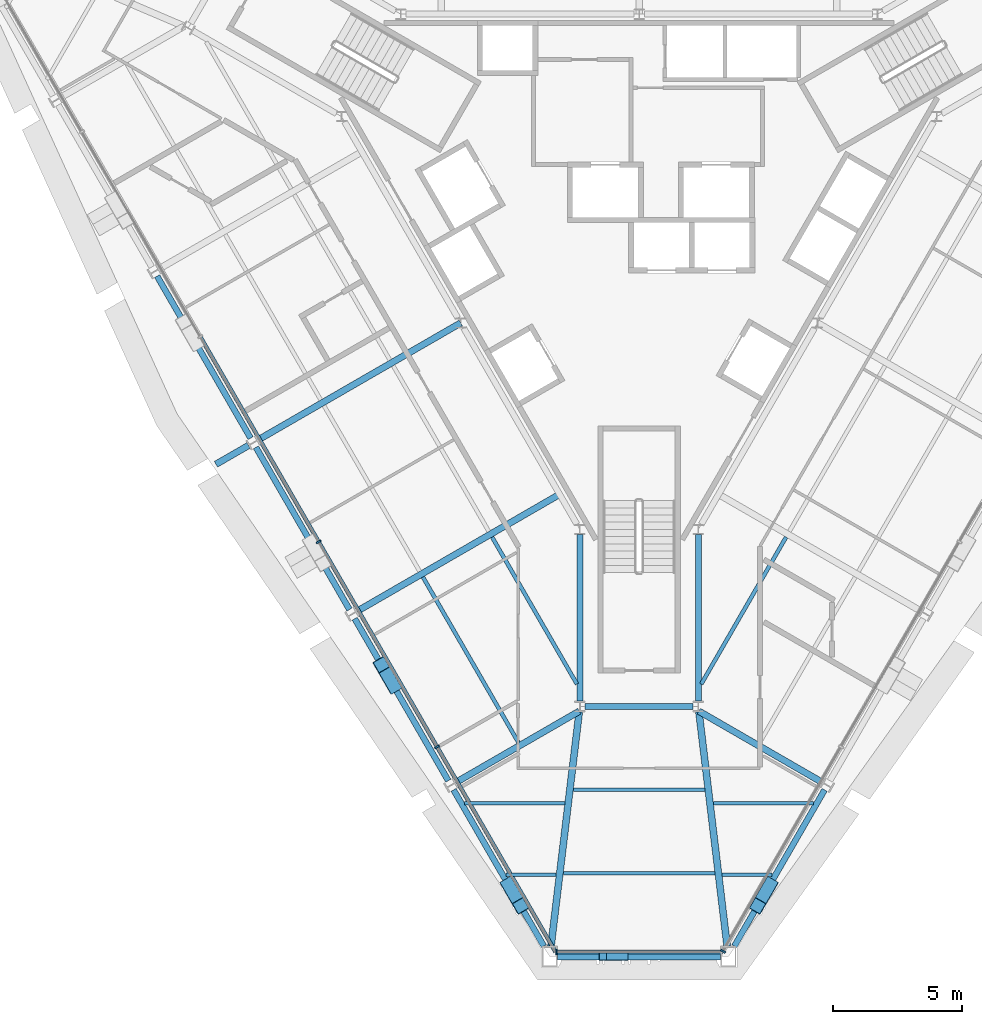
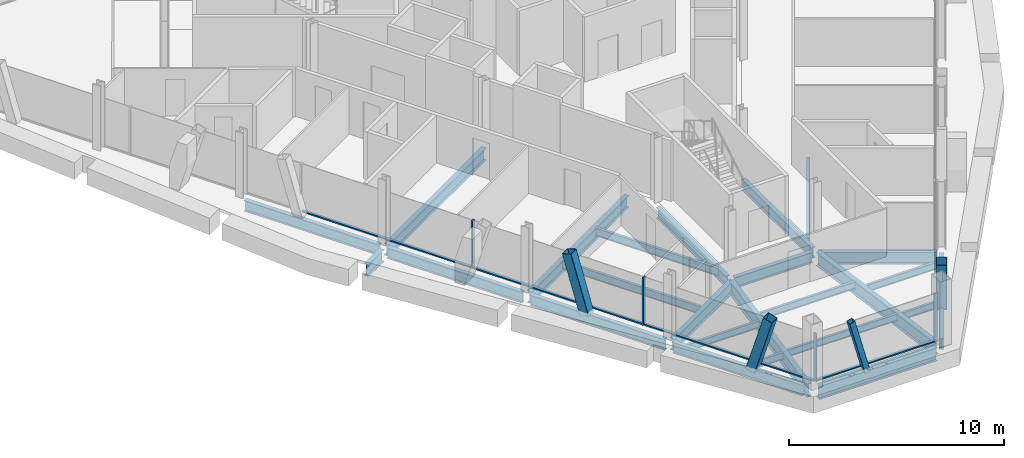
# One storey, part 2 of 13: 25 beams, 12 members, 3 elements without a shape of their own.
"""IFC4 building model written with IfcOpenShell, lengths in metres."""

from ifc_helpers import new_model, si_unit, direction, frame, origin, origin_2d, place, context, subcontext, project, spatial, rectangle, hollow_rectangle, i_section, extrude, material, material_profile, profile_set, type_object, element, aggregate, save


model = new_model("IFC4")

# Units and contexts
model_context = context("Model", 3, precision=1e-05, world=origin(), true_north=direction((0.0, 1.0)))
body_context = subcontext(model_context, "Body", "Model", "MODEL_VIEW")
ifc_project = project(units=[si_unit("LENGTHUNIT", "METRE"), si_unit("AREAUNIT", "SQUARE_METRE"), si_unit("VOLUMEUNIT", "CUBIC_METRE"), si_unit("PLANEANGLEUNIT", "RADIAN"), si_unit("MASSUNIT", "GRAM", prefix="KILO")], contexts=[model_context])

# Site, building, storey
site_placement = place(None, origin())
site = spatial("IfcSite", under=ifc_project, at=site_placement, CompositionType="ELEMENT")
building_placement = place(site_placement, origin())
building = spatial("IfcBuilding", under=site, at=building_placement, Name="Verrane Prism Tower", CompositionType="ELEMENT")
storey_placement = place(building_placement, frame((0.0, 0.0, 163.60009765625)))
storey = spatial("IfcBuildingStorey", under=building, at=storey_placement, Name="L40", CompositionType="ELEMENT", Elevation=163.60009765625)

# Member
ifc_material_1 = material(Name="Steel A500 Grade C", Category="steel")
ifc_material_profile_1 = material_profile(ifc_material_1, hollow_rectangle(XDim=0.3046875, YDim=0.3046875, WallThickness=0.0126953125, InnerFilletRadius=0.00634765625, OuterFilletRadius=0.01904296875, at=origin_2d()), Name="HSS12x12x1/2")
ifc_profile_set_1 = profile_set([ifc_material_profile_1], Name="Steel A500 Grade C")
member_type_1 = type_object("IfcMemberType", Name="Chamfer brace HSS12x12x1/2", PredefinedType="BRACE", material=ifc_profile_set_1)
member_1_placement = place(storey_placement, frame((-0.574951171875, -28.610107421875, -0.24267578125), z_axis=(-0.258871345449, 0.0, 0.965911810936), x_axis=(0.0, -1.0, 0.0)))
element("IfcMember", 1, at=member_1_placement, inside=storey, type_object=member_type_1, Name="Chamfer brace S0 L40", PredefinedType="BRACE", context=body_context, shape_type="SweptSolid", body=[
    extrude(hollow_rectangle(XDim=0.3046875, YDim=0.3046875, WallThickness=0.0126953125, InnerFilletRadius=0.00634765625, OuterFilletRadius=0.01904296875, at=origin_2d()), origin(), (0.0, 0.0, 1.0), 3.2177734375),
])

# Beams
ifc_material_2 = material(Name="Steel A992", Category="steel")
ifc_material_profile_2 = material_profile(ifc_material_2, i_section(OverallWidth=0.2666015625, OverallDepth=0.7568359375, WebThickness=0.013916015625, FlangeThickness=0.019287109375, FilletRadius=0.0166015625, at=origin_2d()), Name="W30x108")
ifc_profile_set_2 = profile_set([ifc_material_profile_2], Name="Steel A992")
beam_type_1 = type_object("IfcBeamType", Name="Chamfer spandrel beam W30x108", PredefinedType="SPANDREL", material=ifc_profile_set_2)
beam_1_placement = place(storey_placement, frame((-3.169921875, -28.610107421875, -0.53857421875), z_axis=(1.0, 0.0, 0.0), x_axis=(0.0, 1.0, 0.0)))
element("IfcBeam", 2, at=beam_1_placement, inside=storey, type_object=beam_type_1, Name="Chamfer spandrel beam L40", PredefinedType="SPANDREL", context=body_context, shape_type="SweptSolid", body=[
    extrude(i_section(OverallWidth=0.2666015625, OverallDepth=0.7568359375, WebThickness=0.013916015625, FlangeThickness=0.019287109375, FilletRadius=0.0166015625, at=origin_2d()), origin(), (0.0, 0.0, 1.0), 6.33984375),
])
ifc_material_3 = material(Name="Steel A992", Category="steel")
ifc_material_profile_3 = material_profile(ifc_material_3, i_section(OverallWidth=0.23046875, OverallDepth=0.6171875, WebThickness=0.01318359375, FlangeThickness=0.022216796875, FilletRadius=0.012939453125, at=origin_2d()), Name="W24x94")
ifc_profile_set_3 = profile_set([ifc_material_profile_3], Name="Steel A992")
beam_type_2 = type_object("IfcBeamType", Name="Core ring girder W24x94", PredefinedType="BEAM", material=ifc_profile_set_3)
beam_2_placement = place(storey_placement, frame((-2.300048828125, -12.219482421875, -0.55859375), z_axis=(0.0, -1.0, 0.0), x_axis=(1.0, 0.0, 0.0)))
element("IfcBeam", 3, at=beam_2_placement, inside=storey, type_object=beam_type_2, Name="Core ring girder L40", PredefinedType="BEAM", context=body_context, shape_type="SweptSolid", body=[
    extrude(i_section(OverallWidth=0.23046875, OverallDepth=0.6171875, WebThickness=0.01318359375, FlangeThickness=0.022216796875, FilletRadius=0.012939453125, at=origin_2d()), origin(), (0.0, 0.0, 1.0), 6.47216796875),
])
beam_3_placement = place(storey_placement, frame((-2.0966796875, -18.89990234375, -0.55859375), z_axis=(1.0, 0.0, 0.0), x_axis=(0.0, 1.0, 0.0)))
element("IfcBeam", 4, at=beam_3_placement, inside=storey, type_object=beam_type_2, Name="Core ring girder L40", PredefinedType="BEAM", context=body_context, shape_type="SweptSolid", body=[
    extrude(i_section(OverallWidth=0.23046875, OverallDepth=0.6171875, WebThickness=0.01318359375, FlangeThickness=0.022216796875, FilletRadius=0.012939453125, at=origin_2d()), origin(), (0.0, 0.0, 1.0), 4.193359375),
])
beam_4_placement = place(storey_placement, frame((2.300048828125, -18.691650390625, -0.55859375), z_axis=(0.0, 1.0, 0.0), x_axis=(-1.0, 0.0, 0.0)))
element("IfcBeam", 5, at=beam_4_placement, inside=storey, type_object=beam_type_2, Name="Core ring girder L40", PredefinedType="BEAM", context=body_context, shape_type="SweptSolid", body=[
    extrude(i_section(OverallWidth=0.23046875, OverallDepth=0.6171875, WebThickness=0.01318359375, FlangeThickness=0.022216796875, FilletRadius=0.012939453125, at=origin_2d()), origin(), (0.0, 0.0, 1.0), 6.47216796875),
])
ifc_material_4 = material(Name="Steel A992", Category="steel")
ifc_material_profile_4 = material_profile(ifc_material_4, i_section(OverallWidth=0.2666015625, OverallDepth=0.76708984375, WebThickness=0.014892578125, FlangeThickness=0.023681640625, FilletRadius=0.0166015625, at=origin_2d()), Name="W30x124")
ifc_profile_set_4 = profile_set([ifc_material_profile_4], Name="Steel A992")
beam_type_3 = type_object("IfcBeamType", Name="Corner girder W30x124", PredefinedType="BEAM", material=ifc_profile_set_4)
for number, where, z_axis, x_axis, name in (
    (6, (-3.421875, -28.2099609375, -0.603515625), (0.119628268268, 0.992818753565, 0.0), (-0.992818753565, 0.119628268268, 0.0), "Corner girder L40"),
    (7, (3.421875, -28.2099609375, -0.603515625), (-0.119628268268, 0.992818753565, 0.0), (-0.992818753565, -0.119628268268, 0.0), "Corner girder L40"),
):
    element("IfcBeam", number, at=place(storey_placement, frame(where, z_axis=z_axis, x_axis=x_axis)), inside=storey, type_object=beam_type_3, Name=name, PredefinedType="BEAM", context=body_context, shape_type="SweptSolid", body=[
        extrude(i_section(OverallWidth=0.2666015625, OverallDepth=0.76708984375, WebThickness=0.014892578125, FlangeThickness=0.023681640625, FilletRadius=0.0166015625, at=origin_2d()), origin(), (0.0, 0.0, 1.0), 9.16748046875),
    ])

# Members
ifc_material_5 = material(Name="Steel A500 Grade C", Category="steel")
ifc_material_profile_5 = material_profile(ifc_material_5, hollow_rectangle(XDim=0.508056640625, YDim=0.508056640625, WallThickness=0.01904296875, InnerFilletRadius=0.009521484375, OuterFilletRadius=0.028564453125, at=origin_2d()), Name="HSS20x20x3/4")
ifc_profile_set_5 = profile_set([ifc_material_profile_5], Name="Steel A500 Grade C")
member_type_2 = type_object("IfcMemberType", Name="Facade brace HSS20x20x3/4", PredefinedType="BRACE", material=ifc_profile_set_5)
for number, where, z_axis, x_axis, name in (
    (8, (-9.54150390625, -18.09521484375, -0.216796875), (-0.142143736486, 0.246133487031, 0.958756207145), (-0.865966742331, -0.500101590855, 0.0), "Facade brace SW4 L40"),
    (9, (-5.078369140625, -25.82470703125, -0.216796875), (0.142143736486, -0.246133487031, 0.958756207145), (0.865966742331, 0.500101590855, 0.0), "Facade brace SW5 L40"),
    (10, (5.078369140625, -25.82470703125, -0.216796875), (-0.142143736486, -0.246133487031, 0.958756207145), (0.865966742331, -0.500101590855, 0.0), "Facade brace SE0 L40"),
):
    element("IfcMember", number, at=place(storey_placement, frame(where, z_axis=z_axis, x_axis=x_axis)), inside=storey, type_object=member_type_2, Name=name, PredefinedType="BRACE", context=body_context, shape_type="SweptSolid", body=[
        extrude(hollow_rectangle(XDim=0.508056640625, YDim=0.508056640625, WallThickness=0.01904296875, InnerFilletRadius=0.009521484375, OuterFilletRadius=0.028564453125, at=origin_2d()), origin(), (0.0, 0.0, 1.0), 3.333740234375),
    ])

# Beams
ifc_material_6 = material(Name="Steel A992", Category="steel")
ifc_material_profile_6 = material_profile(ifc_material_6, i_section(OverallWidth=0.140380859375, OverallDepth=0.40380859375, WebThickness=0.007080078125, FlangeThickness=0.01123046875, FilletRadius=0.01025390625, at=origin_2d()), Name="W16x31")
ifc_profile_set_6 = profile_set([ifc_material_profile_6], Name="Steel A992")
beam_type_4 = type_object("IfcBeamType", Name="Floor beam W16x31", PredefinedType="BEAM", material=ifc_profile_set_6)
beam_5_placement = place(storey_placement, frame((-5.171630859375, -25.433349609375, -0.362060546875), z_axis=(1.0, 0.0, 0.0), x_axis=(0.0, 1.0, 0.0)))
element("IfcBeam", 11, at=beam_5_placement, inside=storey, type_object=beam_type_4, Name="Floor beam L40", PredefinedType="BEAM", context=body_context, shape_type="SweptSolid", body=[
    extrude(i_section(OverallWidth=0.140380859375, OverallDepth=0.40380859375, WebThickness=0.007080078125, FlangeThickness=0.01123046875, FilletRadius=0.01025390625, at=origin_2d()), origin(), (0.0, 0.0, 1.0), 1.950439453125),
])
beam_6_placement = place(storey_placement, frame((-6.77490234375, -22.65673828125, -0.362060546875), z_axis=(1.0, 0.0, 0.0), x_axis=(0.0, 1.0, 0.0)))
element("IfcBeam", 12, at=beam_6_placement, inside=storey, type_object=beam_type_4, Name="Floor beam L40", PredefinedType="BEAM", context=body_context, shape_type="SweptSolid", body=[
    extrude(i_section(OverallWidth=0.140380859375, OverallDepth=0.40380859375, WebThickness=0.007080078125, FlangeThickness=0.01123046875, FilletRadius=0.01025390625, at=origin_2d()), origin(), (0.0, 0.0, 1.0), 3.888916015625),
])
beam_7_placement = place(storey_placement, frame((3.22119140625, -25.433349609375, -0.362060546875), z_axis=(1.0, 0.0, 0.0), x_axis=(0.0, 1.0, 0.0)))
element("IfcBeam", 13, at=beam_7_placement, inside=storey, type_object=beam_type_4, Name="Floor beam L40", PredefinedType="BEAM", context=body_context, shape_type="SweptSolid", body=[
    extrude(i_section(OverallWidth=0.140380859375, OverallDepth=0.40380859375, WebThickness=0.007080078125, FlangeThickness=0.01123046875, FilletRadius=0.01025390625, at=origin_2d()), origin(), (0.0, 0.0, 1.0), 1.950439453125),
])
beam_8_placement = place(storey_placement, frame((2.885986328125, -22.65673828125, -0.362060546875), z_axis=(1.0, 0.0, 0.0), x_axis=(0.0, 1.0, 0.0)))
element("IfcBeam", 14, at=beam_8_placement, inside=storey, type_object=beam_type_4, Name="Floor beam L40", PredefinedType="BEAM", context=body_context, shape_type="SweptSolid", body=[
    extrude(i_section(OverallWidth=0.140380859375, OverallDepth=0.40380859375, WebThickness=0.007080078125, FlangeThickness=0.01123046875, FilletRadius=0.01025390625, at=origin_2d()), origin(), (0.0, 0.0, 1.0), 3.888916015625),
])
beam_9_placement = place(storey_placement, frame((-2.945068359375, -25.373291015625, -0.362060546875), z_axis=(1.0, 0.0, 0.0), x_axis=(0.0, 1.0, 0.0)))
element("IfcBeam", 15, at=beam_9_placement, inside=storey, type_object=beam_type_4, Name="Floor beam L40", PredefinedType="BEAM", context=body_context, shape_type="SweptSolid", body=[
    extrude(i_section(OverallWidth=0.140380859375, OverallDepth=0.40380859375, WebThickness=0.007080078125, FlangeThickness=0.01123046875, FilletRadius=0.01025390625, at=origin_2d()), origin(), (0.0, 0.0, 1.0), 5.89013671875),
])
beam_10_placement = place(storey_placement, frame((-2.554443359375, -22.13671875, -0.362060546875), z_axis=(1.0, 0.0, 0.0), x_axis=(0.0, 1.0, 0.0)))
element("IfcBeam", 16, at=beam_10_placement, inside=storey, type_object=beam_type_4, Name="Floor beam L40", PredefinedType="BEAM", context=body_context, shape_type="SweptSolid", body=[
    extrude(i_section(OverallWidth=0.140380859375, OverallDepth=0.40380859375, WebThickness=0.007080078125, FlangeThickness=0.01123046875, FilletRadius=0.01025390625, at=origin_2d()), origin(), (0.0, 0.0, 1.0), 5.10888671875),
])
ifc_material_7 = material(Name="Steel A992", Category="steel")
ifc_material_profile_7 = material_profile(ifc_material_7, i_section(OverallWidth=0.15234375, OverallDepth=0.449462890625, WebThickness=0.007568359375, FlangeThickness=0.0107421875, FilletRadius=0.01025390625, at=origin_2d()), Name="W18x35")
ifc_profile_set_7 = profile_set([ifc_material_profile_7], Name="Steel A992")
beam_type_5 = type_object("IfcBeamType", Name="Floor beam W18x35", PredefinedType="BEAM", material=ifc_profile_set_7)
beam_11_placement = place(storey_placement, frame((-2.4150390625, -18.027099609375, -0.385009765625), z_axis=(-0.49998322161, 0.866035090576, 0.0), x_axis=(-0.866035090576, -0.49998322161, 0.0)))
element("IfcBeam", 17, at=beam_11_placement, inside=storey, type_object=beam_type_5, Name="Floor beam L40", PredefinedType="BEAM", context=body_context, shape_type="SweptSolid", body=[
    extrude(i_section(OverallWidth=0.15234375, OverallDepth=0.449462890625, WebThickness=0.007568359375, FlangeThickness=0.0107421875, FilletRadius=0.01025390625, at=origin_2d()), origin(), (0.0, 0.0, 1.0), 6.591552734375),
])
beam_12_placement = place(storey_placement, frame((-4.686279296875, -20.299072265625, -0.385009765625), z_axis=(-0.500022277658, 0.866012541391, 0.0), x_axis=(-0.866012541391, -0.500022277658, 0.0)))
element("IfcBeam", 18, at=beam_12_placement, inside=storey, type_object=beam_type_5, Name="Floor beam L40", PredefinedType="BEAM", context=body_context, shape_type="SweptSolid", body=[
    extrude(i_section(OverallWidth=0.15234375, OverallDepth=0.449462890625, WebThickness=0.007568359375, FlangeThickness=0.0107421875, FilletRadius=0.01025390625, at=origin_2d()), origin(), (0.0, 0.0, 1.0), 7.424560546875),
])
beam_13_placement = place(storey_placement, frame((2.4150390625, -18.027099609375, -0.385009765625), z_axis=(0.49998322161, 0.866035090576, 0.0), x_axis=(-0.866035090576, 0.49998322161, 0.0)))
element("IfcBeam", 19, at=beam_13_placement, inside=storey, type_object=beam_type_5, Name="Floor beam L40", PredefinedType="BEAM", context=body_context, shape_type="SweptSolid", body=[
    extrude(i_section(OverallWidth=0.15234375, OverallDepth=0.449462890625, WebThickness=0.007568359375, FlangeThickness=0.0107421875, FilletRadius=0.01025390625, at=origin_2d()), origin(), (0.0, 0.0, 1.0), 6.591552734375),
])

# Curtain wall, members
ifc_material_8 = material(Name="Aluminium framed insulated glazing", Category="aluminium")
curtain_wall_type = type_object("IfcCurtainWallType", Name="Curtain wall CW-A 8400 module", PredefinedType="NOTDEFINED", material=ifc_material_8)
curtain_wall_1_placement = place(storey_placement, origin())
curtain_wall_1 = element("IfcCurtainWall", 20, at=curtain_wall_1_placement, inside=storey, type_object=curtain_wall_type, Name="Glazed curtain wall south-west face L40", PredefinedType="NOTDEFINED")
ifc_material_9 = material(Name="Aluminium alloy 6063-T6", Category="aluminium")
ifc_material_profile_8 = material_profile(ifc_material_9, rectangle(XDim=0.199951171875, YDim=0.070068359375, at=origin_2d()), Name="Mullion 70x200 aluminium")
ifc_profile_set_8 = profile_set([ifc_material_profile_8], Name="Aluminium alloy 6063-T6")
member_type_3 = type_object("IfcMemberType", Name="Mullion 70x200 aluminium", PredefinedType="MULLION", material=ifc_profile_set_8)
member_2_placement = place(storey_placement, frame((-12.448974609375, -12.5, 0.0), z_axis=(0.0, 0.0, 1.0), x_axis=(0.86602596468, 0.499999028499, 0.0)))
member_2 = element("IfcMember", 21, at=member_2_placement, type_object=member_type_3, Name="CW39.4 mullion 4", PredefinedType="MULLION", context=body_context, shape_type="SweptSolid", body=[
    extrude(rectangle(XDim=0.199951171875, YDim=0.070068359375, at=origin_2d()), origin(), (0.0, 0.0, 1.0), 2.712890625),
])
member_3_placement = place(storey_placement, frame((-7.84814453125, -20.46875, 0.0), z_axis=(0.0, 0.0, 1.0), x_axis=(0.86602596468, 0.499999028499, 0.0)))
member_3 = element("IfcMember", 22, at=member_3_placement, type_object=member_type_3, Name="CW39.4 mullion 5", PredefinedType="MULLION", context=body_context, shape_type="SweptSolid", body=[
    extrude(rectangle(XDim=0.199951171875, YDim=0.070068359375, at=origin_2d()), origin(), (0.0, 0.0, 1.0), 2.712890625),
])

# Curtain wall, member
curtain_wall_2_placement = place(storey_placement, origin())
curtain_wall_2 = element("IfcCurtainWall", 23, at=curtain_wall_2_placement, inside=storey, type_object=curtain_wall_type, Name="Glazed curtain wall south corner L40", PredefinedType="NOTDEFINED")
member_4_placement = place(storey_placement, frame((-3.21240234375, -28.4375, 0.0), z_axis=(0.0, 0.0, 1.0), x_axis=(0.0, 1.0, 0.0)))
member_4 = element("IfcMember", 24, at=member_4_placement, type_object=member_type_3, Name="CW39.5 mullion 1", PredefinedType="MULLION", context=body_context, shape_type="SweptSolid", body=[
    extrude(rectangle(XDim=0.199951171875, YDim=0.070068359375, at=origin_2d()), origin(), (0.0, 0.0, 1.0), 2.712890625),
])

curtain_wall_3_placement = place(storey_placement, origin())
curtain_wall_3 = element("IfcCurtainWall", 25, at=curtain_wall_3_placement, inside=storey, type_object=curtain_wall_type, Name="Glazed curtain wall south-east face L40", PredefinedType="NOTDEFINED")
member_5_placement = place(storey_placement, frame((3.264892578125, -28.4072265625, 0.0), z_axis=(0.0, 0.0, 1.0), x_axis=(-0.86602596468, 0.499999028499, 0.0)))
member_5 = element("IfcMember", 26, at=member_5_placement, type_object=member_type_3, Name="CW39.6 mullion 1", PredefinedType="MULLION", context=body_context, shape_type="SweptSolid", body=[
    extrude(rectangle(XDim=0.199951171875, YDim=0.070068359375, at=origin_2d()), origin(), (0.0, 0.0, 1.0), 2.712890625),
])
aggregate(curtain_wall_3, [member_5])

# Beams
ifc_material_10 = material(Name="Steel A992", Category="steel")
ifc_material_profile_9 = material_profile(ifc_material_10, i_section(OverallWidth=0.25390625, OverallDepth=0.683349609375, WebThickness=0.012451171875, FlangeThickness=0.01904296875, FilletRadius=0.01513671875, at=origin_2d()), Name="W27x94")
ifc_profile_set_9 = profile_set([ifc_material_profile_9], Name="Steel A992")
beam_type_6 = type_object("IfcBeamType", Name="Radial girder W27x94", PredefinedType="BEAM", material=ifc_profile_set_9)
beam_14_placement = place(storey_placement, frame((-14.802001953125, -8.54150390625, -0.561767578125), z_axis=(0.866020960005, 0.500007696773, 0.0), x_axis=(-0.500007696773, 0.866020960005, 0.0)))
element("IfcBeam", 27, at=beam_14_placement, inside=storey, type_object=beam_type_6, Name="Radial girder L40", PredefinedType="BEAM", context=body_context, shape_type="SweptSolid", body=[
    extrude(i_section(OverallWidth=0.25390625, OverallDepth=0.683349609375, WebThickness=0.012451171875, FlangeThickness=0.01904296875, FilletRadius=0.01513671875, at=origin_2d()), origin(), (0.0, 0.0, 1.0), 9.088134765625),
])
beam_15_placement = place(storey_placement, frame((-10.9619140625, -15.201416015625, -0.561767578125), z_axis=(0.866021925876, 0.500006023866, 0.0), x_axis=(-0.500006023866, 0.866021925876, 0.0)))
element("IfcBeam", 28, at=beam_15_placement, inside=storey, type_object=beam_type_6, Name="Radial girder L40", PredefinedType="BEAM", context=body_context, shape_type="SweptSolid", body=[
    extrude(i_section(OverallWidth=0.25390625, OverallDepth=0.683349609375, WebThickness=0.012451171875, FlangeThickness=0.01904296875, FilletRadius=0.01513671875, at=origin_2d()), origin(), (0.0, 0.0, 1.0), 9.09228515625),
])
for number, where, z_axis, x_axis, name in (
    (29, (-7.121826171875, -21.851318359375, -0.561767578125), (0.866030813765, 0.499990629522, 0.0), (-0.499990629522, 0.866030813765, 0.0), "Radial girder L40"),
    (30, (7.121826171875, -21.851318359375, -0.561767578125), (-0.866030813765, 0.499990629522, 0.0), (-0.499990629522, -0.866030813765, 0.0), "Radial girder L40"),
):
    element("IfcBeam", number, at=place(storey_placement, frame(where, z_axis=z_axis, x_axis=x_axis)), inside=storey, type_object=beam_type_6, Name=name, PredefinedType="BEAM", context=body_context, shape_type="SweptSolid", body=[
        extrude(i_section(OverallWidth=0.25390625, OverallDepth=0.683349609375, WebThickness=0.012451171875, FlangeThickness=0.01904296875, FilletRadius=0.01513671875, at=origin_2d()), origin(), (0.0, 0.0, 1.0), 5.54248046875),
    ])
beam_16_placement = place(storey_placement, frame((-15.174560546875, -8.756591796875, -0.561767578125), z_axis=(-0.866046596414, -0.499963291492, 0.0), x_axis=(0.499963291492, -0.866046596414, 0.0)))
element("IfcBeam", 31, at=beam_16_placement, inside=storey, type_object=beam_type_6, Name="Cantilever girder L40", PredefinedType="BEAM", context=body_context, shape_type="SweptSolid", body=[
    extrude(i_section(OverallWidth=0.25390625, OverallDepth=0.683349609375, WebThickness=0.012451171875, FlangeThickness=0.01904296875, FilletRadius=0.01513671875, at=origin_2d()), origin(), (0.0, 0.0, 1.0), 1.46240234375),
])
ifc_material_11 = material(Name="Steel A992", Category="steel")
ifc_material_profile_10 = material_profile(ifc_material_11, i_section(OverallWidth=0.23046875, OverallDepth=0.6171875, WebThickness=0.01318359375, FlangeThickness=0.022216796875, FilletRadius=0.012939453125, at=origin_2d()), Name="W24x94")
ifc_profile_set_10 = profile_set([ifc_material_profile_10], Name="Steel A992")
beam_type_7 = type_object("IfcBeamType", Name="Spandrel beam W24x94", PredefinedType="SPANDREL", material=ifc_profile_set_10)
beam_17_placement = place(storey_placement, frame((-18.72705078125, -2.17822265625, -0.46875), z_axis=(0.500052022334, -0.865995366592, 0.0), x_axis=(0.865995366592, 0.500052022334, 0.0)))
element("IfcBeam", 32, at=beam_17_placement, inside=storey, type_object=beam_type_7, Name="Spandrel beam L40", PredefinedType="SPANDREL", context=body_context, shape_type="SweptSolid", body=[
    extrude(i_section(OverallWidth=0.23046875, OverallDepth=0.6171875, WebThickness=0.01318359375, FlangeThickness=0.022216796875, FilletRadius=0.012939453125, at=origin_2d()), origin(), (0.0, 0.0, 1.0), 7.267333984375),
])
beam_18_placement = place(storey_placement, frame((-14.88720703125, -8.828125, -0.46875), z_axis=(0.499492001644, -0.866318498183, 0.0), x_axis=(0.866318498183, 0.499492001644, 0.0)))
element("IfcBeam", 33, at=beam_18_placement, inside=storey, type_object=beam_type_7, Name="Spandrel beam L40", PredefinedType="SPANDREL", context=body_context, shape_type="SweptSolid", body=[
    extrude(i_section(OverallWidth=0.23046875, OverallDepth=0.6171875, WebThickness=0.01318359375, FlangeThickness=0.022216796875, FilletRadius=0.012939453125, at=origin_2d()), origin(), (0.0, 0.0, 1.0), 7.2763671875),
])
beam_19_placement = place(storey_placement, frame((-11.047119140625, -15.48828125, -0.46875), z_axis=(0.50007721572, -0.865980818678, 0.0), x_axis=(0.865980818678, 0.50007721572, 0.0)))
element("IfcBeam", 34, at=beam_19_placement, inside=storey, type_object=beam_type_7, Name="Spandrel beam L40", PredefinedType="SPANDREL", context=body_context, shape_type="SweptSolid", body=[
    extrude(i_section(OverallWidth=0.23046875, OverallDepth=0.6171875, WebThickness=0.01318359375, FlangeThickness=0.022216796875, FilletRadius=0.012939453125, at=origin_2d()), origin(), (0.0, 0.0, 1.0), 7.267333984375),
])
for number, where, z_axis, x_axis, name in (
    (35, (-7.20703125, -22.13818359375, -0.46875), (0.5000600333, -0.865990740768, 0.0), (0.865990740768, 0.5000600333, 0.0), "Spandrel beam L40"),
    (36, (3.700927734375, -28.2099609375, -0.46875), (0.5000600333, 0.865990740768, 0.0), (-0.865990740768, 0.5000600333, 0.0), "Spandrel beam L40"),
):
    element("IfcBeam", number, at=place(storey_placement, frame(where, z_axis=z_axis, x_axis=x_axis)), inside=storey, type_object=beam_type_7, Name=name, PredefinedType="SPANDREL", context=body_context, shape_type="SweptSolid", body=[
        extrude(i_section(OverallWidth=0.23046875, OverallDepth=0.6171875, WebThickness=0.01318359375, FlangeThickness=0.022216796875, FilletRadius=0.012939453125, at=origin_2d()), origin(), (0.0, 0.0, 1.0), 7.011474609375),
    ])

# Member
ifc_material_12 = material(Name="Aluminium alloy 6063-T6", Category="aluminium")
ifc_material_profile_11 = material_profile(ifc_material_12, rectangle(XDim=0.14990234375, YDim=0.070068359375, at=origin_2d()), Name="Transom 70x150 aluminium")
ifc_profile_set_11 = profile_set([ifc_material_profile_11], Name="Aluminium alloy 6063-T6")
member_type_4 = type_object("IfcMemberType", Name="Transom 70x150 aluminium", PredefinedType="USERDEFINED", material=ifc_profile_set_11)
member_6_placement = place(storey_placement, frame((-17.0322265625, -4.561279296875, 0.034912109375), z_axis=(0.499997849104, -0.866026645601, 0.0), x_axis=(0.866026645601, 0.499997849104, 0.0)))
member_6 = element("IfcMember", 37, at=member_6_placement, type_object=member_type_4, Name="CW39.4 transom 3", ObjectType="TRANSOM", PredefinedType="USERDEFINED", context=body_context, shape_type="SweptSolid", body=[
    extrude(rectangle(XDim=0.14990234375, YDim=0.070068359375, at=origin_2d()), origin(), (0.0, 0.0, 1.0), 9.1318359375),
])

member_7_placement = place(storey_placement, frame((-12.431396484375, -12.5302734375, 0.034912109375), z_axis=(0.500009425886, -0.866019961678, 0.0), x_axis=(0.866019961678, 0.500009425886, 0.0)))
member_7 = element("IfcMember", 38, at=member_7_placement, type_object=member_type_4, Name="CW39.4 transom 4", ObjectType="TRANSOM", PredefinedType="USERDEFINED", context=body_context, shape_type="SweptSolid", body=[
    extrude(rectangle(XDim=0.14990234375, YDim=0.070068359375, at=origin_2d()), origin(), (0.0, 0.0, 1.0), 9.131591796875),
])

member_8_placement = place(storey_placement, frame((-7.83056640625, -20.4990234375, 0.034912109375), z_axis=(0.499997575924, -0.866026803321, 0.0), x_axis=(0.866026803321, 0.499997575924, 0.0)))
member_8 = element("IfcMember", 39, at=member_8_placement, type_object=member_type_4, Name="CW39.4 transom 5", ObjectType="TRANSOM", PredefinedType="USERDEFINED", context=body_context, shape_type="SweptSolid", body=[
    extrude(rectangle(XDim=0.14990234375, YDim=0.070068359375, at=origin_2d()), origin(), (0.0, 0.0, 1.0), 9.16650390625),
])

aggregate(curtain_wall_1, [member_2, member_3, member_6, member_7, member_8])

member_9_placement = place(storey_placement, frame((-3.17724609375, -28.4375, 0.034912109375), z_axis=(1.0, 0.0, 0.0), x_axis=(0.0, 1.0, 0.0)))
member_9 = element("IfcMember", 40, at=member_9_placement, type_object=member_type_4, Name="CW39.5 transom 1", ObjectType="TRANSOM", PredefinedType="USERDEFINED", context=body_context, shape_type="SweptSolid", body=[
    extrude(rectangle(XDim=0.14990234375, YDim=0.070068359375, at=origin_2d()), origin(), (0.0, 0.0, 1.0), 6.424560546875),
])

aggregate(curtain_wall_2, [member_4, member_9])

save(model, "model.ifc")
